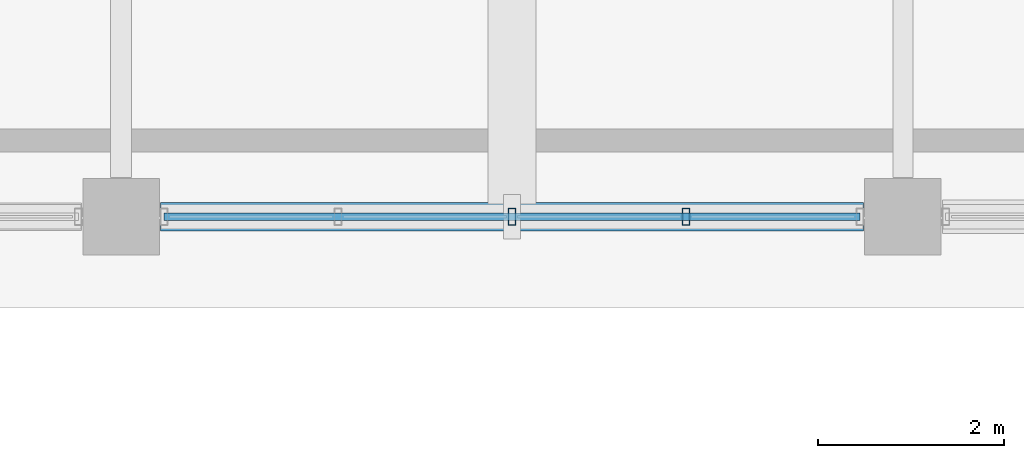
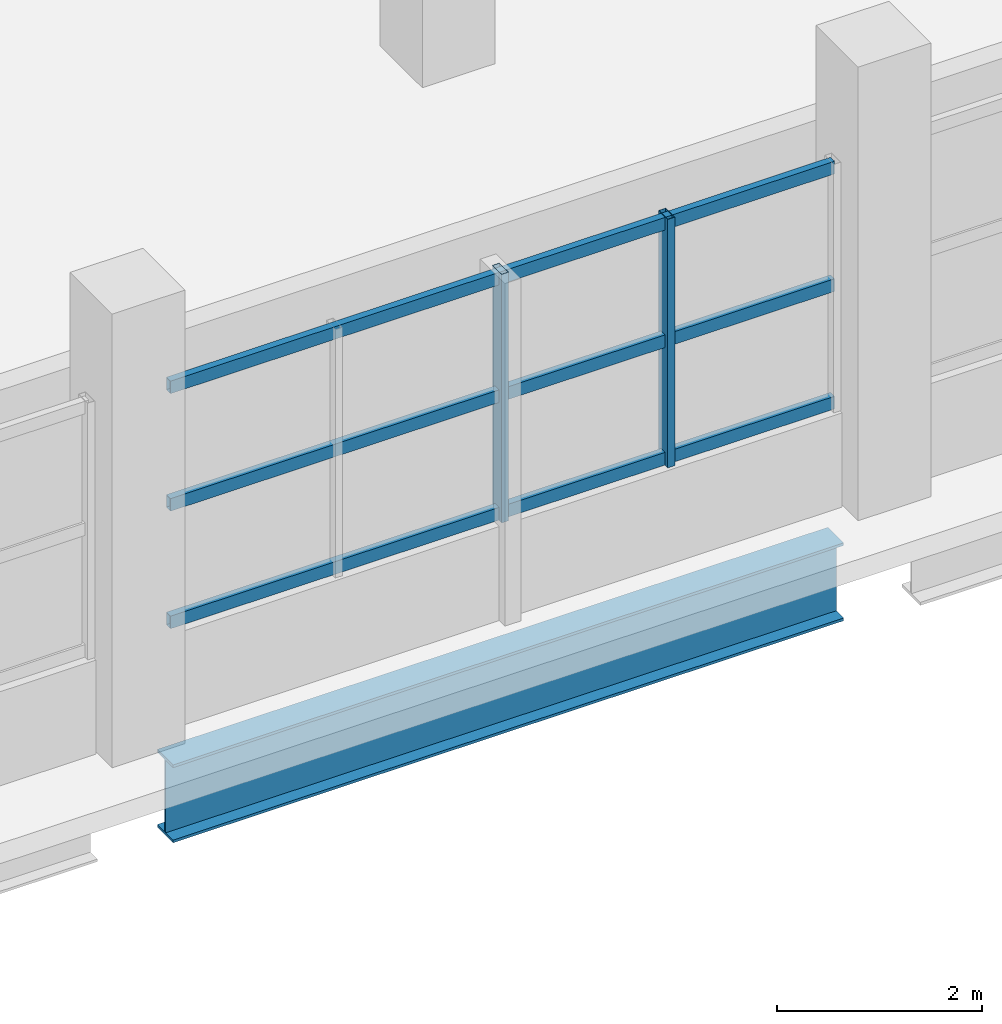
# One storey, part 31 of 107: 5 members, 1 beam, 1 element without a shape of its own.
"""IFC4 building model written with IfcOpenShell, lengths in metres."""

from ifc_helpers import new_model, si_unit, direction, frame, origin, origin_2d, place, context, subcontext, project, spatial, hollow_rectangle, i_section, extrude, material, material_profile, profile_set, type_object, element, aggregate, save


model = new_model("IFC4")

# Units and contexts
model_context = context("Model", 3, precision=1e-05, world=origin(), true_north=direction((0.0, 1.0)))
body_context = subcontext(model_context, "Body", "Model", "MODEL_VIEW")
ifc_project = project(units=[si_unit("LENGTHUNIT", "METRE"), si_unit("AREAUNIT", "SQUARE_METRE"), si_unit("VOLUMEUNIT", "CUBIC_METRE"), si_unit("PLANEANGLEUNIT", "RADIAN"), si_unit("MASSUNIT", "GRAM", prefix="KILO")], contexts=[model_context])

# Site, building, storey
site_placement = place(None, origin())
site = spatial("IfcSite", under=ifc_project, at=site_placement, CompositionType="ELEMENT")
building_placement = place(site_placement, origin())
building = spatial("IfcBuilding", under=site, at=building_placement, Name="Solvento Point Concert Hall", CompositionType="ELEMENT")
storey_placement = place(building_placement, origin())
storey = spatial("IfcBuildingStorey", under=building, at=storey_placement, Name="L00", CompositionType="ELEMENT", Elevation=0.0)

# Beam
ifc_material_1 = material(Name="Structural Steel ASTM A992 Grade 50", Category="steel")
ifc_material_profile_1 = material_profile(ifc_material_1, i_section(OverallWidth=0.3076171875, OverallDepth=0.927001953125, WebThickness=0.019287109375, FlangeThickness=0.031982421875, at=origin_2d()), Name="W36X194")
ifc_profile_set_1 = profile_set([ifc_material_profile_1], Name="Structural Steel ASTM A992 Grade 50")
beam_type = type_object("IfcBeamType", Name="Girder_W36X194", PredefinedType="USERDEFINED", material=ifc_profile_set_1)
beam_placement = place(storey_placement, frame((41.22412109375, 119.0, -0.87744140625), z_axis=(1.0, 0.0, 0.0), x_axis=(0.0, 1.0, 0.0)))
element("IfcBeam", 1, at=beam_placement, inside=storey, type_object=beam_type, Name="Primary girder B-61 L00", ObjectType="GIRDER", PredefinedType="USERDEFINED", context=body_context, shape_type="SweptSolid", body=[
    extrude(i_section(OverallWidth=0.3076171875, OverallDepth=0.927001953125, WebThickness=0.019287109375, FlangeThickness=0.031982421875, at=origin_2d()), origin(), (0.0, 0.0, 1.0), 7.5517578125),
])

# Curtain wall, members
ifc_material_2 = material(Name="Anodized Bronze Aluminium", Category="aluminium")
curtain_wall_type = type_object("IfcCurtainWallType", Name="CurtainWall_CourtPilotis", PredefinedType="USERDEFINED", material=ifc_material_2)
curtain_wall_placement = place(storey_placement, origin())
curtain_wall = element("IfcCurtainWall", 2, at=curtain_wall_placement, inside=storey, type_object=curtain_wall_type, Name="Unitised curtain wall CW-96 UCW-L00-024", ObjectType="UNITISED CURTAIN WALL", PredefinedType="USERDEFINED")
ifc_material_3 = material(Name="Anodized Bronze Aluminium", Category="aluminium")
ifc_material_profile_2 = material_profile(ifc_material_3, hollow_rectangle(XDim=0.080078125, YDim=0.179931640625, WallThickness=0.00390625, at=origin_2d()), Name="CW-MUL-80X180")
ifc_profile_set_2 = profile_set([ifc_material_profile_2], Name="Anodized Bronze Aluminium")
member_type_1 = type_object("IfcMemberType", Name="Mullion_80x180", PredefinedType="MULLION", material=ifc_profile_set_2)
member_1_placement = place(storey_placement, frame((45.0, 119.0, 1.1201171875), z_axis=(0.0, 0.0, 1.0), x_axis=(1.0, 0.0, 0.0)))
member_1 = element("IfcMember", 3, at=member_1_placement, type_object=member_type_1, Name="Curtain wall mullion ML-01", PredefinedType="MULLION", context=body_context, shape_type="SweptSolid", body=[
    extrude(hollow_rectangle(XDim=0.080078125, YDim=0.179931640625, WallThickness=0.00390625, at=origin_2d()), origin(), (0.0, 0.0, 1.0), 2.957763671875),
])
member_2_placement = place(storey_placement, frame((46.8701171875, 119.0, 1.1201171875), z_axis=(0.0, 0.0, 1.0), x_axis=(1.0, 0.0, 0.0)))
member_2 = element("IfcMember", 4, at=member_2_placement, type_object=member_type_1, Name="Curtain wall mullion ML-01", PredefinedType="MULLION", context=body_context, shape_type="SweptSolid", body=[
    extrude(hollow_rectangle(XDim=0.080078125, YDim=0.179931640625, WallThickness=0.00390625, at=origin_2d()), origin(), (0.0, 0.0, 1.0), 2.957763671875),
])
ifc_material_4 = material(Name="Anodized Bronze Aluminium", Category="aluminium")
ifc_material_profile_3 = material_profile(ifc_material_4, hollow_rectangle(XDim=0.080078125, YDim=0.14990234375, WallThickness=0.00390625, at=origin_2d()), Name="CW-TRN-80X150")
ifc_profile_set_3 = profile_set([ifc_material_profile_3], Name="Anodized Bronze Aluminium")
member_type_2 = type_object("IfcMemberType", Name="Transom_80x150", PredefinedType="USERDEFINED", material=ifc_profile_set_3)
member_3_placement = place(storey_placement, frame((41.260009765625, 119.0, 1.199951171875), z_axis=(1.0, 0.0, 0.0), x_axis=(0.0, 1.0, 0.0)))
member_3 = element("IfcMember", 5, at=member_3_placement, type_object=member_type_2, Name="Curtain wall transom TR-01", ObjectType="TRANSOM", PredefinedType="USERDEFINED", context=body_context, shape_type="SweptSolid", body=[
    extrude(hollow_rectangle(XDim=0.080078125, YDim=0.14990234375, WallThickness=0.00390625, at=origin_2d()), origin(), (0.0, 0.0, 1.0), 7.47998046875),
])
member_4_placement = place(storey_placement, frame((41.260009765625, 119.0, 2.59912109375), z_axis=(1.0, 0.0, 0.0), x_axis=(0.0, 1.0, 0.0)))
member_4 = element("IfcMember", 6, at=member_4_placement, type_object=member_type_2, Name="Curtain wall transom TR-01", ObjectType="TRANSOM", PredefinedType="USERDEFINED", context=body_context, shape_type="SweptSolid", body=[
    extrude(hollow_rectangle(XDim=0.080078125, YDim=0.14990234375, WallThickness=0.00390625, at=origin_2d()), origin(), (0.0, 0.0, 1.0), 7.47998046875),
])
member_5_placement = place(storey_placement, frame((41.260009765625, 119.0, 3.998046875), z_axis=(1.0, 0.0, 0.0), x_axis=(0.0, 1.0, 0.0)))
member_5 = element("IfcMember", 7, at=member_5_placement, type_object=member_type_2, Name="Curtain wall transom TR-01", ObjectType="TRANSOM", PredefinedType="USERDEFINED", context=body_context, shape_type="SweptSolid", body=[
    extrude(hollow_rectangle(XDim=0.080078125, YDim=0.14990234375, WallThickness=0.00390625, at=origin_2d()), origin(), (0.0, 0.0, 1.0), 7.47998046875),
])
aggregate(curtain_wall, [member_1, member_2, member_3, member_4, member_5])

save(model, "model.ifc")
